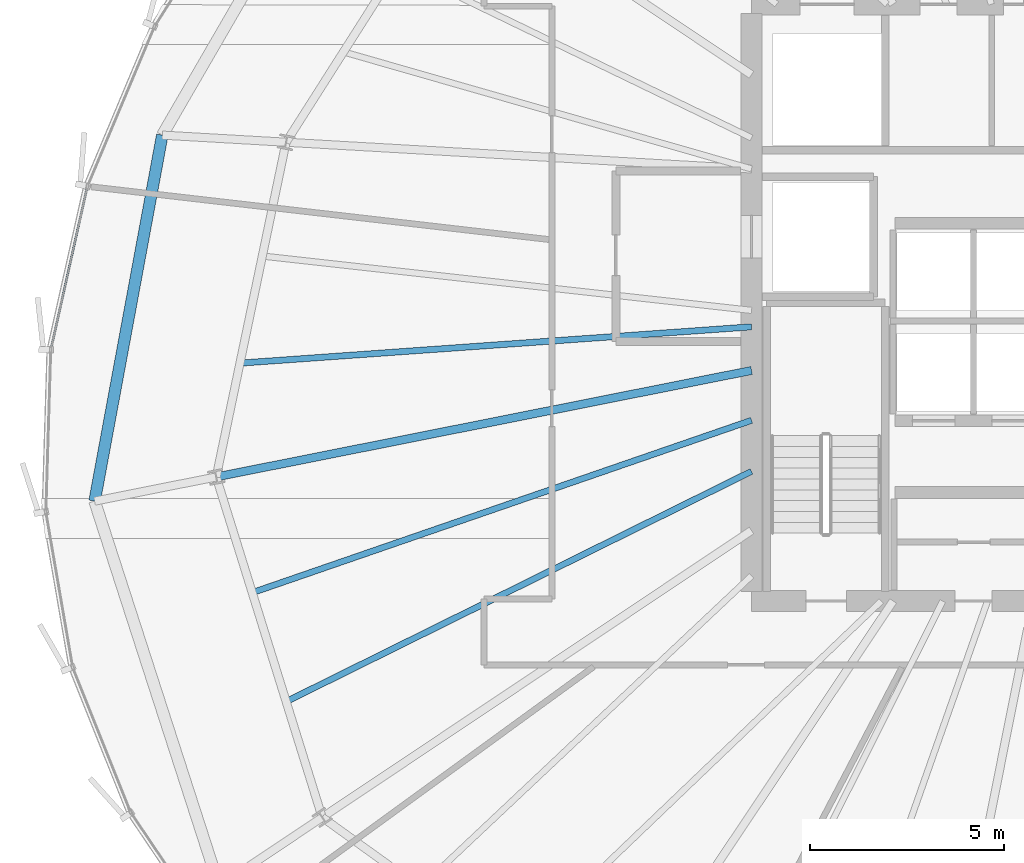
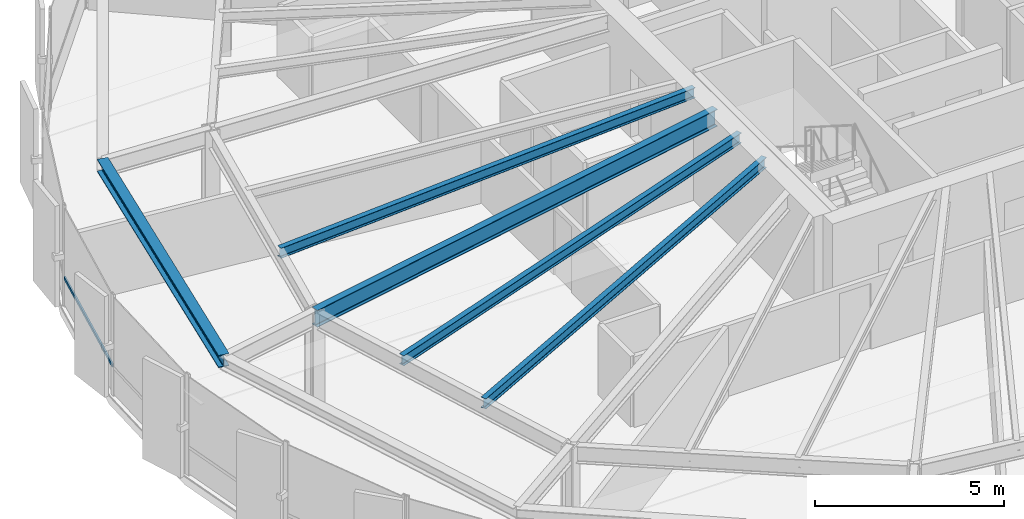
# One storey, part 9 of 35: 5 beams, 1 member, 1 element without a shape of its own.
"""IFC4 building model written with IfcOpenShell, lengths in metres."""

from ifc_helpers import new_model, si_unit, direction, frame, origin, origin_2d, place, context, subcontext, project, spatial, hollow_rectangle, i_section, extrude, source, transform, mapped, material, layer, layer_set, material_profile, profile_set, type_object, element, aggregate, save


model = new_model("IFC4")

# Units and contexts
model_context = context("Model", 3, precision=1e-05, world=origin(), true_north=direction((0.0, 1.0)))
body_context = subcontext(model_context, "Body", "Model", "MODEL_VIEW")
ifc_project = project(units=[si_unit("LENGTHUNIT", "METRE"), si_unit("AREAUNIT", "SQUARE_METRE"), si_unit("VOLUMEUNIT", "CUBIC_METRE"), si_unit("PLANEANGLEUNIT", "RADIAN"), si_unit("MASSUNIT", "GRAM", prefix="KILO"), si_unit("THERMODYNAMICTEMPERATUREUNIT", "KELVIN")], contexts=[model_context])

# Site, building, storey
site_placement = place(None, origin())
site = spatial("IfcSite", under=ifc_project, at=site_placement, CompositionType="ELEMENT")
building_placement = place(site_placement, origin())
building = spatial("IfcBuilding", under=site, at=building_placement, Name="Kethvar Cultural Tower", CompositionType="ELEMENT")
storey_placement = place(building_placement, frame((0.0, 0.0, 146.550048828125)))
storey = spatial("IfcBuildingStorey", under=building, at=storey_placement, Name="L37", CompositionType="ELEMENT", Elevation=146.550048828125)

# Beams
ifc_material_1 = material(Name="Steel S355J2", Category="steel")
ifc_material_profile_1 = material_profile(ifc_material_1, i_section(OverallWidth=0.2099609375, OverallDepth=0.550048828125, WebThickness=0.010986328125, FlangeThickness=0.01708984375, FilletRadius=0.02392578125, at=origin_2d()), Name="Steel S355J2 — IPE550")
ifc_profile_set_1 = profile_set([ifc_material_profile_1], Name="Steel S355J2 — IPE550")
beam_type_1 = type_object("IfcBeamType", Name="BM-IPE550", PredefinedType="BEAM", material=ifc_profile_set_1)
shared_shape_1 = source(origin(), body_context, "Body", "SweptSolid", [
    extrude(i_section(OverallWidth=0.2099609375, OverallDepth=0.550048828125, WebThickness=0.010986328125, FlangeThickness=0.01708984375, FilletRadius=0.02392578125, at=origin_2d()), origin(), (0.0, 0.0, 1.0), 14.085205078125),
])
beam_1_placement = place(storey_placement, frame((38.0, 26.049560546875, 3.02294921875), z_axis=(-0.98078679373, -0.195082713854, 0.0), x_axis=(0.195082713854, -0.98078679373, 0.0)))
element("IfcBeam", 1, at=beam_1_placement, inside=storey, type_object=beam_type_1, Name="L37 Primary Radial Beam RB-09", PredefinedType="BEAM", context=body_context, shape_type="MappedRepresentation", body=[
    mapped(shared_shape_1, transform((0.0, 0.0, 0.0), scale=1.0)),
])
ifc_material_profile_2 = material_profile(ifc_material_1, i_section(OverallWidth=0.300048828125, OverallDepth=0.39990234375, WebThickness=0.013427734375, FlangeThickness=0.02392578125, FilletRadius=0.027099609375, at=origin_2d()), Name="Steel S355J2 — HEB400")
ifc_profile_set_2 = profile_set([ifc_material_profile_2], Name="Steel S355J2 — HEB400")
beam_type_2 = type_object("IfcBeamType", Name="BM-SP400", PredefinedType="SPANDREL", material=ifc_profile_set_2)
shared_shape_2 = source(origin(), body_context, "Body", "SweptSolid", [
    extrude(i_section(OverallWidth=0.300048828125, OverallDepth=0.39990234375, WebThickness=0.013427734375, FlangeThickness=0.02392578125, FilletRadius=0.027099609375, at=origin_2d()), origin(), (0.0, 0.0, 1.0), 9.605712890625),
])
beam_2_placement = place(storey_placement, frame((22.793701171875, 32.123046875, 3.097900390625), z_axis=(-0.1818526217, -0.983325797476, 0.0), x_axis=(0.983325797476, -0.1818526217, 0.0)))
element("IfcBeam", 2, at=beam_2_placement, inside=storey, type_object=beam_type_2, Name="L37 Perimeter Spandrel Beam SP-08", PredefinedType="SPANDREL", context=body_context, shape_type="MappedRepresentation", body=[
    mapped(shared_shape_2, transform((0.0, 0.0, 0.0), scale=1.0)),
])
ifc_material_profile_3 = material_profile(ifc_material_1, i_section(OverallWidth=0.159912109375, OverallDepth=0.330078125, WebThickness=0.007568359375, FlangeThickness=0.011474609375, FilletRadius=0.01806640625, at=origin_2d()), Name="Steel S355J2 — IPE330")
ifc_profile_set_3 = profile_set([ifc_material_profile_3], Name="Steel S355J2 — IPE330")
beam_type_3 = type_object("IfcBeamType", Name="BM-J330", PredefinedType="JOIST", material=ifc_profile_set_3)
shared_shape_3 = source(origin(), body_context, "Body", "SweptSolid", [
    extrude(i_section(OverallWidth=0.159912109375, OverallDepth=0.330078125, WebThickness=0.007568359375, FlangeThickness=0.011474609375, FilletRadius=0.01806640625, at=origin_2d()), origin(), (0.0, 0.0, 1.0), 13.234619140625),
])
beam_3_placement = place(storey_placement, frame((38.0, 27.175537109375, 3.133056640625), z_axis=(-0.997490530945, -0.070800004767, 0.0), x_axis=(0.070800004767, -0.997490530945, 0.0)))
element("IfcBeam", 3, at=beam_3_placement, inside=storey, type_object=beam_type_3, Name="L37 Composite Floor Joist J-08B", PredefinedType="JOIST", context=body_context, shape_type="MappedRepresentation", body=[
    mapped(shared_shape_3, transform((0.0, 0.0, 0.0), scale=1.0)),
])
shared_shape_4 = source(origin(), body_context, "Body", "SweptSolid", [
    extrude(i_section(OverallWidth=0.159912109375, OverallDepth=0.330078125, WebThickness=0.007568359375, FlangeThickness=0.011474609375, FilletRadius=0.01806640625, at=origin_2d()), origin(), (0.0, 0.0, 1.0), 13.630615234375),
])
beam_4_placement = place(storey_placement, frame((38.0, 24.762451171875, 3.133056640625), z_axis=(-0.945269577646, -0.326290400682, 0.0), x_axis=(0.326290400682, -0.945269577646, 0.0)))
element("IfcBeam", 4, at=beam_4_placement, inside=storey, type_object=beam_type_3, Name="L37 Composite Floor Joist J-09A", PredefinedType="JOIST", context=body_context, shape_type="MappedRepresentation", body=[
    mapped(shared_shape_4, transform((0.0, 0.0, 0.0), scale=1.0)),
])
shared_shape_5 = source(origin(), body_context, "Body", "SweptSolid", [
    extrude(i_section(OverallWidth=0.159912109375, OverallDepth=0.330078125, WebThickness=0.007568359375, FlangeThickness=0.011474609375, FilletRadius=0.01806640625, at=origin_2d()), origin(), (0.0, 0.0, 1.0), 13.39892578125),
])
beam_5_placement = place(storey_placement, frame((38.0, 23.44580078125, 3.133056640625), z_axis=(-0.896292467417, -0.44346342899, 0.0), x_axis=(0.44346342899, -0.896292467417, 0.0)))
element("IfcBeam", 5, at=beam_5_placement, inside=storey, type_object=beam_type_3, Name="L37 Composite Floor Joist J-09B", PredefinedType="JOIST", context=body_context, shape_type="MappedRepresentation", body=[
    mapped(shared_shape_5, transform((0.0, 0.0, 0.0), scale=1.0)),
])

# Curtain wall, member
ifc_material_2 = material(Name="Aluminium 6063-T6", Category="aluminium")
ifc_layer = layer(ifc_material_2, 0.179931640625, Name="Aluminium 6063-T6", Category="aluminium")
ifc_layer_set = layer_set([ifc_layer], Name="Aluminium 6063-T6 (180 mm)")
curtain_wall_type = type_object("IfcCurtainWallType", Name="CW-SYS-04-Z34", PredefinedType="NOTDEFINED", material=ifc_layer_set)
curtain_wall_placement = place(storey_placement, origin())
curtain_wall = element("IfcCurtainWall", 6, at=curtain_wall_placement, inside=storey, type_object=curtain_wall_type, Name="L37 Curtain Wall Run 03", PredefinedType="NOTDEFINED")
ifc_material_profile_4 = material_profile(ifc_material_2, hollow_rectangle(XDim=0.050048828125, YDim=0.10009765625, WallThickness=0.00390625, at=origin_2d()), Name="Aluminium 6063-T6 — RHS100x50x4")
ifc_profile_set_4 = profile_set([ifc_material_profile_4], Name="Aluminium 6063-T6 — RHS100x50x4")
member_type = type_object("IfcMemberType", Name="CW-SYS-04-Z34-TRN", PredefinedType="USERDEFINED", material=ifc_profile_set_4)
shared_shape_6 = source(origin(), body_context, "Body", "SweptSolid", [
    extrude(hollow_rectangle(XDim=0.050048828125, YDim=0.10009765625, WallThickness=0.00390625, at=origin_2d()), origin(), (0.0, 0.0, 1.0), 4.255126953125),
])
member_placement = place(storey_placement, frame((20.849853515625, 30.75830078125, 0.949951171875), z_axis=(-0.218145320812, -0.975916297132, 0.0), x_axis=(0.975916297132, -0.218145320812, 0.0)))
member = element("IfcMember", 7, at=member_placement, type_object=member_type, Name="CW-L37-R03 Transom 3", ObjectType="TRANSOM", PredefinedType="USERDEFINED", context=body_context, shape_type="MappedRepresentation", body=[
    mapped(shared_shape_6, transform((0.0, 0.0, 0.0), scale=1.0)),
])
aggregate(curtain_wall, [member])

save(model, "model.ifc")
